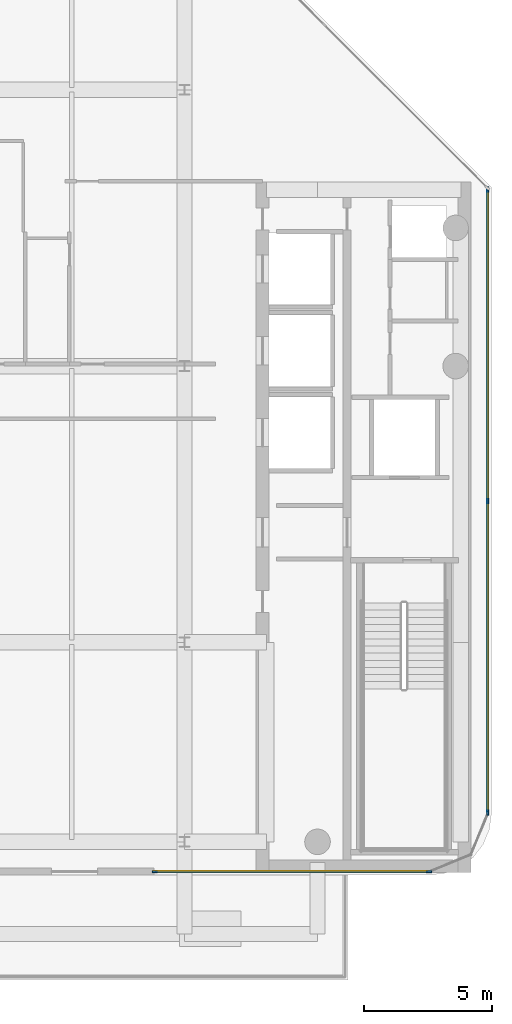
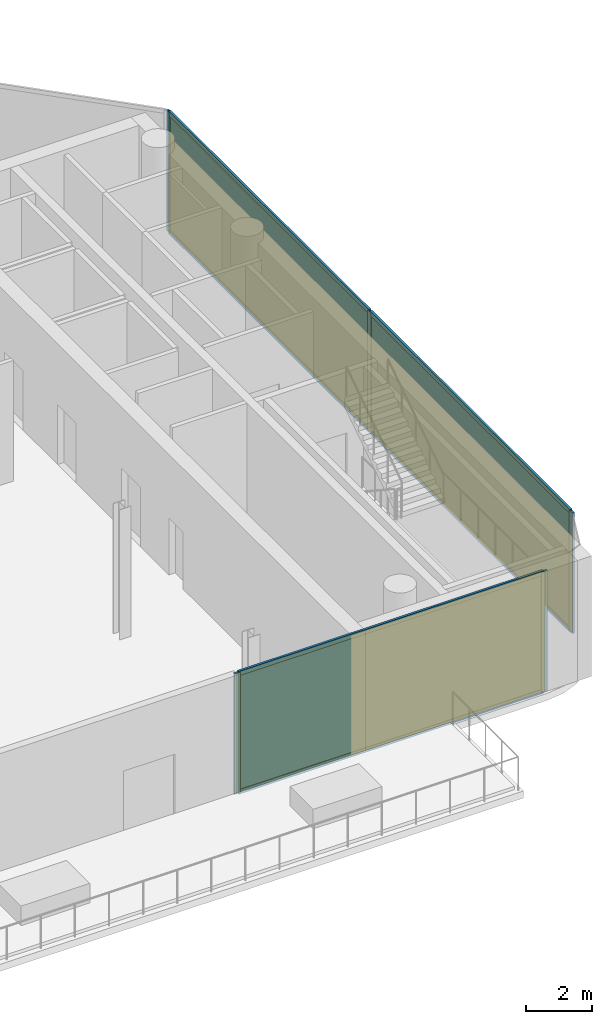
# One storey, part 8 of 14: 11 members, 3 plates, 2 curtain walls.
"""IFC4 building model written with IfcOpenShell, lengths in metres."""

from ifc_helpers import new_model, si_unit, direction, frame, frame_2d, origin, origin_2d, place, context, subcontext, project, spatial, rectangle, extrude, material, layer, layer_set, material_profile, profile_set, type_object, element, aggregate, save


model = new_model("IFC4")

# Units and contexts
model_context = context("Model", 3, precision=1e-05, world=origin(), true_north=direction((0.0, 1.0)))
body_context = subcontext(model_context, "Body", "Model", "MODEL_VIEW")
ifc_project = project(units=[si_unit("LENGTHUNIT", "METRE"), si_unit("AREAUNIT", "SQUARE_METRE"), si_unit("VOLUMEUNIT", "CUBIC_METRE"), si_unit("PLANEANGLEUNIT", "RADIAN"), si_unit("MASSUNIT", "GRAM", prefix="KILO")], contexts=[model_context])

# Member
ifc_material_1 = material(Name="Anodised Bronze Aluminium 6063-T6", Category="aluminium")
ifc_material_profile_1 = material_profile(ifc_material_1, rectangle(XDim=0.074951171875, YDim=0.2099609375, at=origin_2d()))
ifc_profile_set_1 = profile_set([ifc_material_profile_1], Name="Anodised Bronze Aluminium 6063-T6")
member_type_1 = type_object("IfcMemberType", Name="CW-CRN Mullion 75x210", PredefinedType="MULLION", material=ifc_profile_set_1)
site_placement = place(None, origin())
building_placement = place(site_placement, origin())
storey_placement = place(building_placement, frame((0.0, 0.0, 320.39990234375)))
member_1_placement = place(storey_placement, frame((8.03759765625, -19.760009765625, 0.0), z_axis=(0.0, 0.0, 1.0), x_axis=(0.0, 1.0, 0.0)))
member_1 = element("IfcMember", 1, at=member_1_placement, type_object=member_type_1, Name="CW-CRN mullion 1", PredefinedType="MULLION", context=body_context, shape_type="SweptSolid", body=[
    extrude(rectangle(XDim=0.074951171875, YDim=0.2099609375, at=origin_2d()), origin(), (0.0, 0.0, 1.0), 4.4501953125),
])

member_2_placement = place(storey_placement, frame((18.75341796875, -19.760009765625, 0.0), z_axis=(0.0, 0.0, 1.0), x_axis=(0.0, 1.0, 0.0)))
member_2 = element("IfcMember", 2, at=member_2_placement, type_object=member_type_1, Name="CW-CRN mullion 2", PredefinedType="MULLION", context=body_context, shape_type="SweptSolid", body=[
    extrude(rectangle(XDim=0.074951171875, YDim=0.2099609375, at=origin_2d()), origin(), (0.0, 0.0, 1.0), 4.4501953125),
])

member_3_placement = place(storey_placement, frame((21.06005859375, 6.904541015625, 0.0), z_axis=(0.0, 0.0, 1.0), x_axis=(1.0, 0.0, 0.0)))
member_3 = element("IfcMember", 3, at=member_3_placement, type_object=member_type_1, Name="CW-CRN mullion 1", PredefinedType="MULLION", context=body_context, shape_type="SweptSolid", body=[
    extrude(rectangle(XDim=0.074951171875, YDim=0.2099609375, at=origin_2d()), origin(), (0.0, 0.0, 1.0), 4.4501953125),
])

member_4_placement = place(storey_placement, frame((21.06005859375, -5.2744140625, 0.0), z_axis=(0.0, 0.0, 1.0), x_axis=(1.0, 0.0, 0.0)))
member_4 = element("IfcMember", 4, at=member_4_placement, type_object=member_type_1, Name="CW-CRN mullion 2", PredefinedType="MULLION", context=body_context, shape_type="SweptSolid", body=[
    extrude(rectangle(XDim=0.074951171875, YDim=0.2099609375, at=origin_2d()), origin(), (0.0, 0.0, 1.0), 4.4501953125),
])

member_5_placement = place(storey_placement, frame((21.06005859375, -17.453369140625, 0.0), z_axis=(0.0, 0.0, 1.0), x_axis=(1.0, 0.0, 0.0)))
member_5 = element("IfcMember", 5, at=member_5_placement, type_object=member_type_1, Name="CW-CRN mullion 3", PredefinedType="MULLION", context=body_context, shape_type="SweptSolid", body=[
    extrude(rectangle(XDim=0.074951171875, YDim=0.2099609375, at=origin_2d()), origin(), (0.0, 0.0, 1.0), 4.4501953125),
])

ifc_material_2 = material(Name="Anodised Bronze Aluminium 6063-T6", Category="aluminium")
ifc_material_profile_2 = material_profile(ifc_material_2, rectangle(XDim=0.074951171875, YDim=0.1650390625, at=origin_2d()))
ifc_profile_set_2 = profile_set([ifc_material_profile_2], Name="Anodised Bronze Aluminium 6063-T6")
member_type_2 = type_object("IfcMemberType", Name="CW-CRN Transom 75x165", PredefinedType="USERDEFINED", material=ifc_profile_set_2)
member_6_placement = place(storey_placement, frame((8.074951171875, -19.760009765625, 0.03759765625), z_axis=(1.0, 0.0, 0.0), x_axis=(0.0, 1.0, 0.0)))
member_6 = element("IfcMember", 6, at=member_6_placement, type_object=member_type_2, Name="CW-CRN transom 1.1", ObjectType="TRANSOM", PredefinedType="USERDEFINED", context=body_context, shape_type="SweptSolid", body=[
    extrude(rectangle(XDim=0.074951171875, YDim=0.1650390625, at=origin_2d()), origin(), (0.0, 0.0, 1.0), 10.640869140625),
])

member_7_placement = place(storey_placement, frame((8.074951171875, -19.760009765625, 4.41259765625), z_axis=(1.0, 0.0, 0.0), x_axis=(0.0, 1.0, 0.0)))
member_7 = element("IfcMember", 7, at=member_7_placement, type_object=member_type_2, Name="CW-CRN transom 1.2", ObjectType="TRANSOM", PredefinedType="USERDEFINED", context=body_context, shape_type="SweptSolid", body=[
    extrude(rectangle(XDim=0.074951171875, YDim=0.1650390625, at=origin_2d()), origin(), (0.0, 0.0, 1.0), 10.640869140625),
])

member_8_placement = place(storey_placement, frame((21.06005859375, 6.866943359375, 0.03759765625), z_axis=(0.0, -1.0, 0.0), x_axis=(1.0, 0.0, 0.0)))
member_8 = element("IfcMember", 8, at=member_8_placement, type_object=member_type_2, Name="CW-CRN transom 1.1", ObjectType="TRANSOM", PredefinedType="USERDEFINED", context=body_context, shape_type="SweptSolid", body=[
    extrude(rectangle(XDim=0.074951171875, YDim=0.1650390625, at=origin_2d()), origin(), (0.0, 0.0, 1.0), 12.103759765625),
])

member_9_placement = place(storey_placement, frame((21.06005859375, 6.866943359375, 4.41259765625), z_axis=(0.0, -1.0, 0.0), x_axis=(1.0, 0.0, 0.0)))
member_9 = element("IfcMember", 9, at=member_9_placement, type_object=member_type_2, Name="CW-CRN transom 1.2", ObjectType="TRANSOM", PredefinedType="USERDEFINED", context=body_context, shape_type="SweptSolid", body=[
    extrude(rectangle(XDim=0.074951171875, YDim=0.1650390625, at=origin_2d()), origin(), (0.0, 0.0, 1.0), 12.103759765625),
])

member_10_placement = place(storey_placement, frame((21.06005859375, -5.31201171875, 0.03759765625), z_axis=(0.0, -1.0, 0.0), x_axis=(1.0, 0.0, 0.0)))
member_10 = element("IfcMember", 10, at=member_10_placement, type_object=member_type_2, Name="CW-CRN transom 2.1", ObjectType="TRANSOM", PredefinedType="USERDEFINED", context=body_context, shape_type="SweptSolid", body=[
    extrude(rectangle(XDim=0.074951171875, YDim=0.1650390625, at=origin_2d()), origin(), (0.0, 0.0, 1.0), 12.103759765625),
])

member_11_placement = place(storey_placement, frame((21.06005859375, -5.31201171875, 4.41259765625), z_axis=(0.0, -1.0, 0.0), x_axis=(1.0, 0.0, 0.0)))
member_11 = element("IfcMember", 11, at=member_11_placement, type_object=member_type_2, Name="CW-CRN transom 2.2", ObjectType="TRANSOM", PredefinedType="USERDEFINED", context=body_context, shape_type="SweptSolid", body=[
    extrude(rectangle(XDim=0.074951171875, YDim=0.1650390625, at=origin_2d()), origin(), (0.0, 0.0, 1.0), 12.103759765625),
])

# Plate
ifc_material_3 = material(Name="Low-E Solar Control Laminated Glass", Category="glass")
ifc_layer_1 = layer(ifc_material_3, 0.035888671875, Name="Low-E Solar Control Laminated Glass")
ifc_layer_set_1 = layer_set([ifc_layer_1], Name="Low-E Solar Control Laminated Glass")
plate_type = type_object("IfcPlateType", Name="CW-CRN Low-E Double Glazed Panel 36mm", PredefinedType="CURTAIN_PANEL", material=ifc_layer_set_1)
plate_1_placement = place(storey_placement, frame((13.3955078125, -19.760009765625, 0.0751953125), z_axis=(0.0, 0.0, 1.0), x_axis=(1.0, 0.0, 0.0)))
plate_1 = element("IfcPlate", 12, at=plate_1_placement, type_object=plate_type, Name="CW-CRN panel 1.1", PredefinedType="CURTAIN_PANEL", context=body_context, shape_type="SweptSolid", body=[
    extrude(rectangle(XDim=10.640869140625, YDim=0.035888671875, at=origin_2d()), origin(), (0.0, 0.0, 1.0), 4.300048828125),
])

plate_2_placement = place(storey_placement, frame((21.06005859375, 0.81494140625, 0.0751953125), z_axis=(0.0, 0.0, 1.0), x_axis=(0.0, -1.0, 0.0)))
plate_2 = element("IfcPlate", 13, at=plate_2_placement, type_object=plate_type, Name="CW-CRN panel 1.1", PredefinedType="CURTAIN_PANEL", context=body_context, shape_type="SweptSolid", body=[
    extrude(rectangle(XDim=12.10400390625, YDim=0.035888671875, at=origin_2d()), origin(), (0.0, 0.0, 1.0), 4.300048828125),
])

plate_3_placement = place(storey_placement, frame((21.06005859375, -11.36376953125, 0.0751953125), z_axis=(0.0, 0.0, 1.0), x_axis=(0.0, -1.0, 0.0)))
plate_3 = element("IfcPlate", 14, at=plate_3_placement, type_object=plate_type, Name="CW-CRN panel 2.1", PredefinedType="CURTAIN_PANEL", context=body_context, shape_type="SweptSolid", body=[
    extrude(rectangle(XDim=12.10400390625, YDim=0.035888671875, at=origin_2d()), origin(), (0.0, 0.0, 1.0), 4.300048828125),
])

# Site, building, storey
site = spatial("IfcSite", under=ifc_project, at=site_placement, CompositionType="ELEMENT")
building = spatial("IfcBuilding", under=site, at=building_placement, Name="Khairoan Windgate Tower", CompositionType="ELEMENT")
storey = spatial("IfcBuildingStorey", under=building, at=storey_placement, Name="L77", CompositionType="ELEMENT", Elevation=320.39990234375)

# Curtain wall
ifc_material_4 = material(Name="Anodised Bronze Aluminium 6063-T6", Category="aluminium")
ifc_layer_2 = layer(ifc_material_4, 0.2099609375, Name="Anodised Bronze Aluminium 6063-T6")
ifc_layer_set_2 = layer_set([ifc_layer_2], Name="Anodised Bronze Aluminium 6063-T6")
curtain_wall_type = type_object("IfcCurtainWallType", Name="Crown Observation and Vitrine Curtain Wall CW-CRN", PredefinedType="NOTDEFINED", material=ifc_layer_set_2)
curtain_wall_1_placement = place(storey_placement, frame((8.0, -19.760009765625, 0.0), z_axis=(0.0, 0.0, 1.0), x_axis=(1.0, 0.0, 0.0)))
curtain_wall_1 = element("IfcCurtainWall", 15, at=curtain_wall_1_placement, inside=storey, type_object=curtain_wall_type, Name="L77 South-East Curtain Wall", PredefinedType="NOTDEFINED", context=body_context, shape_type="SweptSolid", body=[
    extrude(rectangle(XDim=10.790771484375, YDim=0.010009765625, at=frame_2d((5.3955078125, 0.0))), origin(), (0.0, 0.0, 1.0), 4.4501953125),
])

aggregate(curtain_wall_1, [member_1, member_2, member_6, member_7, plate_1])

curtain_wall_2_placement = place(storey_placement, frame((21.06005859375, 6.94189453125, 0.0), z_axis=(0.0, 0.0, 1.0), x_axis=(0.0, -1.0, 0.0)))
curtain_wall_2 = element("IfcCurtainWall", 16, at=curtain_wall_2_placement, inside=storey, type_object=curtain_wall_type, Name="L77 Unitised Curtain Wall 8", PredefinedType="NOTDEFINED", context=body_context, shape_type="SweptSolid", body=[
    extrude(rectangle(XDim=24.4326171875, YDim=0.010009765625, at=frame_2d((12.21630859375, 0.0))), origin(), (0.0, 0.0, 1.0), 4.4501953125),
])

aggregate(curtain_wall_2, [member_3, member_4, member_5, member_8, member_9, plate_2, member_10, member_11, plate_3])

save(model, "model.ifc")
